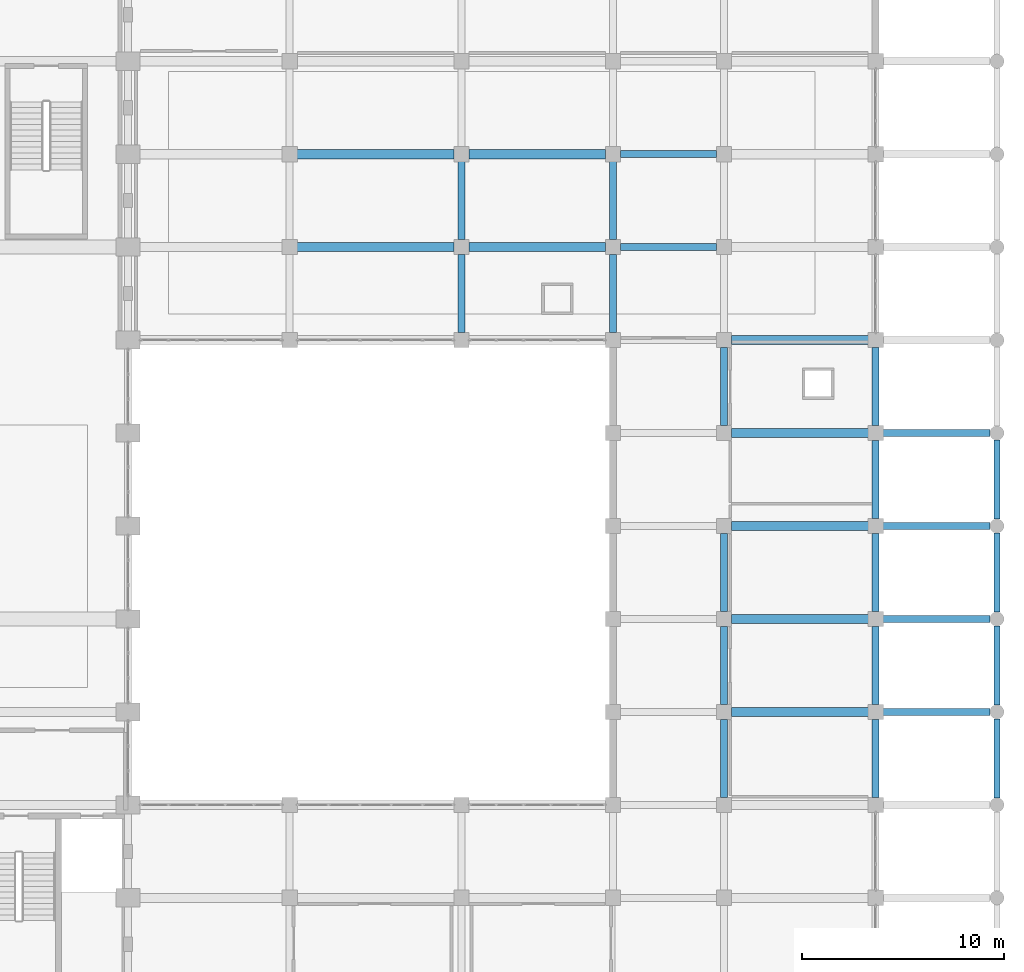
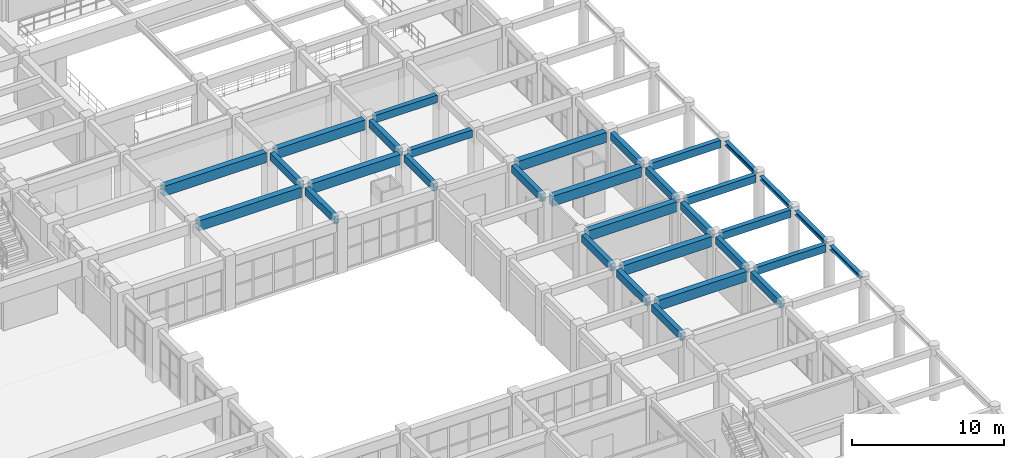
# One storey, part 70 of 116: 32 beams.
"""IFC4 building model written with IfcOpenShell, lengths in metres."""

import ifcopenshell
import ifcopenshell.guid

model = None  # the IFC model being written
_history = None  # IfcOwnerHistory: only IFC2X3 demands one
_inside = {}  # id of a spatial element -> (the spatial element, [elements in it])
_under = {}  # id of a project, library or spatial element -> (it, [spatial elements below it])
_declared = {}  # id of a project -> (the project, [libraries it declares])
_typed = {}  # id of a type object -> (the type object, [elements of that type])
_made_of = {}  # id of a material, layer set ... -> (it, [elements and type objects made of it])


def new_model(schema):
    """Start an empty IFC model of exactly this schema.

    Asked for "IFC4X3", IfcOpenShell would pick the latest addendum, in which some entities
    have other attributes; the version numbers below select the first issue.
    IFC2X3 requires an IfcOwnerHistory on every rooted entity: one is made here for all.
    """
    global model, _history
    if schema == "IFC4X3":
        model = ifcopenshell.file(schema_version=(4, 3, 0, 0))
    else:
        model = ifcopenshell.file(schema=schema)
    _inside.clear()
    _under.clear()
    _declared.clear()
    _typed.clear()
    _made_of.clear()
    _history = None
    if model.schema == "IFC2X3":
        org = make("IfcOrganization", Name="unknown")
        user = make(
            "IfcPersonAndOrganization",
            ThePerson=make("IfcPerson", FamilyName="unknown"),
            TheOrganization=org,
        )
        app = make(
            "IfcApplication",
            ApplicationDeveloper=org,
            Version="unknown",
            ApplicationFullName="unknown",
            ApplicationIdentifier="unknown",
        )
        _history = make(
            "IfcOwnerHistory",
            OwningUser=user,
            OwningApplication=app,
            ChangeAction="ADDED",
            CreationDate=0,
        )
    return model


def make(cls, **values):
    """One entity of the class cls with the attributes given. An attribute that is None is left unset."""
    return model.create_entity(
        cls, **{name: value for name, value in values.items() if value is not None}
    )


def rooted(cls, **values):
    """An entity with a GlobalId (a new one), such as an element, a storey or a relation."""
    return make(cls, GlobalId=ifcopenshell.guid.new(), OwnerHistory=_history, **values)


def si_unit(unit_type, name, prefix=None):
    """IfcSIUnit, for example si_unit("LENGTHUNIT", "METRE", prefix="MILLI")."""
    return make("IfcSIUnit", UnitType=unit_type, Prefix=prefix, Name=name)


def assignment(units):
    """IfcUnitAssignment: the units of a project."""
    return None if units is None else make("IfcUnitAssignment", Units=units)


def point(xyz):
    """IfcCartesianPoint."""
    return None if xyz is None else make("IfcCartesianPoint", Coordinates=xyz)


def direction(xyz):
    """IfcDirection."""
    return None if xyz is None else make("IfcDirection", DirectionRatios=xyz)


def frame(location, z_axis=None, x_axis=None):
    """IfcAxis2Placement3D, a coordinate frame: its origin and axes. An axis left out is left unset."""
    return make(
        "IfcAxis2Placement3D",
        Location=point(location),
        Axis=direction(z_axis),
        RefDirection=direction(x_axis),
    )


def frame_2d(location, x_axis=None):
    """IfcAxis2Placement2D, a coordinate frame in the plane: its origin and x axis."""
    return make(
        "IfcAxis2Placement2D", Location=point(location), RefDirection=direction(x_axis)
    )


def origin():
    """The frame at (0, 0, 0) with its axes left unset."""
    return frame((0.0, 0.0, 0.0))


def origin_2d():
    """The frame at (0, 0) in the plane with its x axis left unset."""
    return frame_2d((0.0, 0.0))


def place(relative_to, where):
    """IfcLocalPlacement: puts the frame where relative to a parent placement (None: the world)."""
    return make(
        "IfcLocalPlacement", PlacementRelTo=relative_to, RelativePlacement=where
    )


def context(
    kind, dimensions, precision=None, world=None, true_north=None, identifier=None
):
    """IfcGeometricRepresentationContext, for example the 3D "Model" context."""
    return make(
        "IfcGeometricRepresentationContext",
        ContextIdentifier=identifier,
        ContextType=kind,
        CoordinateSpaceDimension=dimensions,
        Precision=precision,
        WorldCoordinateSystem=world,
        TrueNorth=true_north,
    )


def subcontext(parent, identifier, kind, view, scale=None):
    """IfcGeometricRepresentationSubContext, for example "Body" below "Model"."""
    return make(
        "IfcGeometricRepresentationSubContext",
        ContextIdentifier=identifier,
        ContextType=kind,
        ParentContext=parent,
        TargetScale=scale,
        TargetView=view,
    )


def project(units=None, contexts=None):
    """IfcProject with its units and contexts."""
    return rooted(
        "IfcProject",
        Name="project",
        RepresentationContexts=contexts,
        UnitsInContext=assignment(units),
    )


def spatial(cls, under=None, at=None, **own):
    """A site, building, storey or space (cls), placed at a placement, below another one or the project."""
    s = rooted(cls, ObjectPlacement=at, **own)
    if under is not None:
        _under.setdefault(under.id(), (under, []))[1].append(s)
    return s


def profile(cls, at=None, kind="AREA", **sizes):
    """A parametric profile (cls). Its sizes go by their IFC names, for example OverallWidth=200.0."""
    return make(cls, ProfileType=kind, Position=at, **sizes)


def rectangle(**sizes):
    """IfcRectangleProfileDef."""
    return profile("IfcRectangleProfileDef", **sizes)


def i_section(**sizes):
    """IfcIShapeProfileDef."""
    return profile("IfcIShapeProfileDef", **sizes)


def extrude(swept, where, along, depth):
    """IfcExtrudedAreaSolid: the profile swept, set in the frame where, extruded along a direction by depth."""
    return make(
        "IfcExtrudedAreaSolid",
        SweptArea=swept,
        Position=where,
        ExtrudedDirection=direction(along),
        Depth=depth,
    )


def shape(context_of_items, identifier, shape_type, items):
    """IfcShapeRepresentation: the items that make up one representation, for example the "Body"."""
    return make(
        "IfcShapeRepresentation",
        ContextOfItems=context_of_items,
        RepresentationIdentifier=identifier,
        RepresentationType=shape_type,
        Items=items,
    )


def material(Name=None, Category=None):
    """IfcMaterial."""
    return make("IfcMaterial", Name=Name, Category=Category)


def material_profile(
    of_material, cross_section, Name=None, Category=None, Priority=None
):
    """IfcMaterialProfile: a cross section and its material."""
    return make(
        "IfcMaterialProfile",
        Name=Name,
        Material=of_material,
        Profile=cross_section,
        Priority=Priority,
        Category=Category,
    )


def profile_set(profiles, Name=None, composite=None):
    """IfcMaterialProfileSet."""
    return make(
        "IfcMaterialProfileSet",
        Name=Name,
        MaterialProfiles=profiles,
        CompositeProfile=composite,
    )


def made_of(thing, what):
    """Note that an element or type object is made of a material, layer set ...; save() writes the relation."""
    if what is not None:
        _made_of.setdefault(what.id(), (what, []))[1].append(thing)
    return thing


def type_object(cls, material=None, **own):
    """A type object (cls), such as IfcWallType, which elements share."""
    return made_of(rooted(cls, **own), material)


def element(
    cls,
    number,
    at=None,
    inside=None,
    cuts=None,
    type_object=None,
    material=None,
    context=None,
    identifier="Body",
    shape_type=None,
    held_by="IfcProductDefinitionShape",
    body=None,
    shapes=None,
    **own,
):
    """One element of the class cls, such as IfcWall. Its Tag is "e" and its number.

    at: its placement. inside: the storey or other place that contains it. cuts: it is an
    opening in that element (IfcRelVoidsElement). A single representation is given by context,
    identifier, shape_type and body (its items); several are given by shapes. held_by: the class
    of the entity that holds the representations. save() writes the other relations.
    """
    e = rooted(cls, Tag="e%d" % number, ObjectPlacement=at, **own)
    if body is not None:
        shapes = [shape(context, identifier, shape_type, body)]
    if shapes is not None:
        e.Representation = make(held_by, Representations=shapes)
    if inside is not None:
        _inside.setdefault(inside.id(), (inside, []))[1].append(e)
    if cuts is not None:
        rooted(
            "IfcRelVoidsElement", RelatingBuildingElement=cuts, RelatedOpeningElement=e
        )
    if type_object is not None:
        _typed.setdefault(type_object.id(), (type_object, []))[1].append(e)
    return made_of(e, material)


def aggregate(whole, parts):
    """IfcRelAggregates: a whole, such as a stair, and the parts it consists of."""
    return rooted("IfcRelAggregates", RelatingObject=whole, RelatedObjects=parts)


def save(model, path):
    """Write the relations noted so far, then the file.

    IfcRelAggregates (storeys below a building ...), IfcRelContainedInSpatialStructure (elements
    in a storey), IfcRelDefinesByType, IfcRelAssociatesMaterial and IfcRelDeclares: one each for
    every whole, place, type object, material and project.
    """
    for whole, parts in _under.values():
        aggregate(whole, parts)
    for where, things in _inside.values():
        rooted(
            "IfcRelContainedInSpatialStructure",
            RelatedElements=things,
            RelatingStructure=where,
        )
    for kind, things in _typed.values():
        rooted("IfcRelDefinesByType", RelatedObjects=things, RelatingType=kind)
    for what, things in _made_of.values():
        rooted("IfcRelAssociatesMaterial", RelatedObjects=things, RelatingMaterial=what)
    for by, libraries in _declared.values():
        rooted("IfcRelDeclares", RelatingContext=by, RelatedDefinitions=libraries)
    model.write(path)


model = new_model("IFC4")

# Units and contexts
model_context = context("Model", 3, precision=1e-05, world=origin(), true_north=direction((0.0, 1.0)))
body_context = subcontext(model_context, "Body", "Model", "MODEL_VIEW")
ifc_project = project(units=[si_unit("LENGTHUNIT", "METRE"), si_unit("AREAUNIT", "SQUARE_METRE"), si_unit("VOLUMEUNIT", "CUBIC_METRE"), si_unit("PLANEANGLEUNIT", "RADIAN"), si_unit("MASSUNIT", "GRAM", prefix="KILO")], contexts=[model_context])

# Site, building, storey
site_placement = place(None, origin())
site = spatial("IfcSite", under=ifc_project, at=site_placement, CompositionType="ELEMENT")
building_placement = place(site_placement, origin())
building = spatial("IfcBuilding", under=site, at=building_placement, Name="Muzn Square Opera House", CompositionType="ELEMENT")
storey_placement = place(building_placement, frame((0.0, 0.0, 5.39990234375)))
storey = spatial("IfcBuildingStorey", under=building, at=storey_placement, Name="L01", CompositionType="ELEMENT", Elevation=5.39990234375)

# Beams
ifc_material_1 = material(Name="Concrete C40/50", Category="concrete")
ifc_material_profile_1 = material_profile(ifc_material_1, rectangle(XDim=0.35009765625, YDim=0.60009765625, at=origin_2d()), Name="RCB 350x600", Category="concrete")
ifc_profile_set_1 = profile_set([ifc_material_profile_1], Name="Concrete C40/50")
beam_type_1 = type_object("IfcBeamType", Name="Primary Girder 350x600", PredefinedType="BEAM", material=ifc_profile_set_1)
for number, where, z_axis, x_axis, name in (
    (1, (170.366943359375, 35.800048828125, 3.85009765625), (1.0, 0.0, 0.0), (0.0, 1.0, 0.0), "Primary Girder BM-L01-BM-PG600-1704_358_1757_358-1347"),
    (2, (170.366943359375, 40.39990234375, 3.85009765625), (1.0, 0.0, 0.0), (0.0, 1.0, 0.0), "Primary Girder BM-L01-BM-PG600-1704_404_1757_404-1355"),
    (3, (170.366943359375, 45.0, 3.85009765625), (1.0, 0.0, 0.0), (0.0, 1.0, 0.0), "Primary Girder BM-L01-BM-PG600-1704_450_1757_450-1361"),
    (4, (170.366943359375, 49.60009765625, 3.85009765625), (1.0, 0.0, 0.0), (0.0, 1.0, 0.0), "Primary Girder BM-L01-BM-PG600-1704_496_1757_496-1367"),
):
    element("IfcBeam", number, at=place(storey_placement, frame(where, z_axis=z_axis, x_axis=x_axis)), inside=storey, type_object=beam_type_1, Name=name, PredefinedType="BEAM", context=body_context, shape_type="SweptSolid", body=[
        extrude(rectangle(XDim=0.35009765625, YDim=0.60009765625, at=origin_2d()), origin(), (0.0, 0.0, 1.0), 5.291015625),
    ])
for number, where, z_axis, x_axis, name in (
    (5, (157.366943359375, 58.800048828125, 3.85009765625), (1.0, 0.0, 0.0), (0.0, 1.0, 0.0), "Primary Girder BM-L01-BM-PG600-1574_588_1621_588-1391"),
    (6, (157.366943359375, 63.39990234375, 3.85009765625), (1.0, 0.0, 0.0), (0.0, 1.0, 0.0), "Primary Girder BM-L01-BM-PG600-1574_634_1621_634-1409"),
):
    element("IfcBeam", number, at=place(storey_placement, frame(where, z_axis=z_axis, x_axis=x_axis)), inside=storey, type_object=beam_type_1, Name=name, PredefinedType="BEAM", context=body_context, shape_type="SweptSolid", body=[
        extrude(rectangle(XDim=0.35009765625, YDim=0.60009765625, at=origin_2d()), origin(), (0.0, 0.0, 1.0), 4.76611328125),
    ])
beam_1_placement = place(storey_placement, frame((149.5, 54.56689453125, 3.820068359375), z_axis=(0.0, 1.0, 0.0), x_axis=(-1.0, 0.0, 0.0)))
element("IfcBeam", 7, at=beam_1_placement, inside=storey, type_object=beam_type_1, Name="Primary Girder BM-L01-BM-PG600-1495_546_1495_584-1732", PredefinedType="BEAM", context=body_context, shape_type="SweptSolid", body=[
    extrude(rectangle(XDim=0.35009765625, YDim=0.60009765625, at=origin_2d()), origin(), (0.0, 0.0, 1.0), 3.8662109375),
])
beam_2_placement = place(storey_placement, frame((149.5, 59.1669921875, 3.820068359375), z_axis=(0.0, 1.0, 0.0), x_axis=(-1.0, 0.0, 0.0)))
element("IfcBeam", 8, at=beam_2_placement, inside=storey, type_object=beam_type_1, Name="Primary Girder BM-L01-BM-PG600-1495_592_1495_630-1733", PredefinedType="BEAM", context=body_context, shape_type="SweptSolid", body=[
    extrude(rectangle(XDim=0.35009765625, YDim=0.60009765625, at=origin_2d()), origin(), (0.0, 0.0, 1.0), 3.865966796875),
])
beam_3_placement = place(storey_placement, frame((157.0, 54.56689453125, 3.820068359375), z_axis=(0.0, 1.0, 0.0), x_axis=(-1.0, 0.0, 0.0)))
element("IfcBeam", 9, at=beam_3_placement, inside=storey, type_object=beam_type_1, Name="Primary Girder BM-L01-BM-PG600-1570_546_1570_584-1745", PredefinedType="BEAM", context=body_context, shape_type="SweptSolid", body=[
    extrude(rectangle(XDim=0.35009765625, YDim=0.60009765625, at=origin_2d()), origin(), (0.0, 0.0, 1.0), 3.8662109375),
])
beam_4_placement = place(storey_placement, frame((157.0, 59.1669921875, 3.820068359375), z_axis=(0.0, 1.0, 0.0), x_axis=(-1.0, 0.0, 0.0)))
element("IfcBeam", 10, at=beam_4_placement, inside=storey, type_object=beam_type_1, Name="Primary Girder BM-L01-BM-PG600-1570_592_1570_630-1746", PredefinedType="BEAM", context=body_context, shape_type="SweptSolid", body=[
    extrude(rectangle(XDim=0.35009765625, YDim=0.60009765625, at=origin_2d()), origin(), (0.0, 0.0, 1.0), 3.865966796875),
])
beam_5_placement = place(storey_placement, frame((162.5, 31.56689453125, 3.85009765625), z_axis=(0.0, 1.0, 0.0), x_axis=(-1.0, 0.0, 0.0)))
element("IfcBeam", 11, at=beam_5_placement, inside=storey, type_object=beam_type_1, Name="Primary Girder BM-L01-BM-PG600-1625_316_1625_354-1755", PredefinedType="BEAM", context=body_context, shape_type="SweptSolid", body=[
    extrude(rectangle(XDim=0.35009765625, YDim=0.60009765625, at=origin_2d()), origin(), (0.0, 0.0, 1.0), 3.8662109375),
])
for number, where, z_axis, x_axis, name in (
    (12, (162.5, 36.1669921875, 3.85009765625), (0.0, 1.0, 0.0), (-1.0, 0.0, 0.0), "Primary Girder BM-L01-BM-PG600-1625_362_1625_400-1756"),
    (13, (162.5, 40.76708984375, 3.85009765625), (0.0, 1.0, 0.0), (-1.0, 0.0, 0.0), "Primary Girder BM-L01-BM-PG600-1625_408_1625_446-1757"),
    (14, (162.5, 49.967041015625, 3.85009765625), (0.0, 1.0, 0.0), (-1.0, 0.0, 0.0), "Primary Girder BM-L01-BM-PG600-1625_500_1625_538-1759"),
):
    element("IfcBeam", number, at=place(storey_placement, frame(where, z_axis=z_axis, x_axis=x_axis)), inside=storey, type_object=beam_type_1, Name=name, PredefinedType="BEAM", context=body_context, shape_type="SweptSolid", body=[
        extrude(rectangle(XDim=0.35009765625, YDim=0.60009765625, at=origin_2d()), origin(), (0.0, 0.0, 1.0), 3.865966796875),
    ])
beam_6_placement = place(storey_placement, frame((170.0, 31.56689453125, 3.85009765625), z_axis=(0.0, 1.0, 0.0), x_axis=(-1.0, 0.0, 0.0)))
element("IfcBeam", 15, at=beam_6_placement, inside=storey, type_object=beam_type_1, Name="Primary Girder BM-L01-BM-PG600-1700_316_1700_354-1770", PredefinedType="BEAM", context=body_context, shape_type="SweptSolid", body=[
    extrude(rectangle(XDim=0.35009765625, YDim=0.60009765625, at=origin_2d()), origin(), (0.0, 0.0, 1.0), 3.8662109375),
])
for number, where, z_axis, x_axis, name in (
    (16, (170.0, 36.1669921875, 3.85009765625), (0.0, 1.0, 0.0), (-1.0, 0.0, 0.0), "Primary Girder BM-L01-BM-PG600-1700_362_1700_400-1771"),
    (17, (170.0, 40.76708984375, 3.85009765625), (0.0, 1.0, 0.0), (-1.0, 0.0, 0.0), "Primary Girder BM-L01-BM-PG600-1700_408_1700_446-1772"),
    (18, (170.0, 45.366943359375, 3.85009765625), (0.0, 1.0, 0.0), (-1.0, 0.0, 0.0), "Primary Girder BM-L01-BM-PG600-1700_454_1700_492-1773"),
    (19, (170.0, 49.967041015625, 3.85009765625), (0.0, 1.0, 0.0), (-1.0, 0.0, 0.0), "Primary Girder BM-L01-BM-PG600-1700_500_1700_538-1774"),
):
    element("IfcBeam", number, at=place(storey_placement, frame(where, z_axis=z_axis, x_axis=x_axis)), inside=storey, type_object=beam_type_1, Name=name, PredefinedType="BEAM", context=body_context, shape_type="SweptSolid", body=[
        extrude(rectangle(XDim=0.35009765625, YDim=0.60009765625, at=origin_2d()), origin(), (0.0, 0.0, 1.0), 3.865966796875),
    ])
ifc_material_profile_2 = material_profile(ifc_material_1, rectangle(XDim=0.449951171875, YDim=0.800048828125, at=origin_2d()), Name="RCB 450x800", Category="concrete")
ifc_profile_set_2 = profile_set([ifc_material_profile_2], Name="Concrete C40/50")
beam_type_2 = type_object("IfcBeamType", Name="Primary Girder 450x800", PredefinedType="BEAM", material=ifc_profile_set_2)
for number, where, z_axis, x_axis, name in (
    (20, (162.866943359375, 35.800048828125, 3.75), (1.0, 0.0, 0.0), (0.0, 1.0, 0.0), "Primary Girder BM-L01-BM-PG800-1629_358_1696_358-1346"),
    (21, (162.866943359375, 40.39990234375, 3.75), (1.0, 0.0, 0.0), (0.0, 1.0, 0.0), "Primary Girder BM-L01-BM-PG800-1629_404_1696_404-1354"),
    (22, (162.866943359375, 45.0, 3.75), (1.0, 0.0, 0.0), (0.0, 1.0, 0.0), "Primary Girder BM-L01-BM-PG800-1629_450_1696_450-1360"),
    (23, (162.866943359375, 49.60009765625, 3.75), (1.0, 0.0, 0.0), (0.0, 1.0, 0.0), "Primary Girder BM-L01-BM-PG800-1629_496_1696_496-1366"),
    (24, (162.866943359375, 54.199951171875, 3.75), (1.0, 0.0, 0.0), (0.0, 1.0, 0.0), "Primary Girder BM-L01-BM-PG800-1629_542_1696_542-1378"),
):
    element("IfcBeam", number, at=place(storey_placement, frame(where, z_axis=z_axis, x_axis=x_axis)), inside=storey, type_object=beam_type_2, Name=name, PredefinedType="BEAM", context=body_context, shape_type="SweptSolid", body=[
        extrude(rectangle(XDim=0.449951171875, YDim=0.800048828125, at=origin_2d()), origin(), (0.0, 0.0, 1.0), 6.76611328125),
    ])
beam_7_placement = place(storey_placement, frame((141.366943359375, 58.800048828125, 3.72021484375), z_axis=(1.0, 0.0, 0.0), x_axis=(0.0, 1.0, 0.0)))
element("IfcBeam", 25, at=beam_7_placement, inside=storey, type_object=beam_type_2, Name="Primary Girder BM-L01-BM-PG800-1414_588_1491_588-1389", PredefinedType="BEAM", context=body_context, shape_type="SweptSolid", body=[
    extrude(rectangle(XDim=0.449951171875, YDim=0.800048828125, at=origin_2d()), origin(), (0.0, 0.0, 1.0), 7.76611328125),
])
beam_8_placement = place(storey_placement, frame((149.866943359375, 58.800048828125, 3.72021484375), z_axis=(1.0, 0.0, 0.0), x_axis=(0.0, 1.0, 0.0)))
element("IfcBeam", 26, at=beam_8_placement, inside=storey, type_object=beam_type_2, Name="Primary Girder BM-L01-BM-PG800-1499_588_1566_588-1390", PredefinedType="BEAM", context=body_context, shape_type="SweptSolid", body=[
    extrude(rectangle(XDim=0.449951171875, YDim=0.800048828125, at=origin_2d()), origin(), (0.0, 0.0, 1.0), 6.76611328125),
])
beam_9_placement = place(storey_placement, frame((141.366943359375, 63.39990234375, 3.72021484375), z_axis=(1.0, 0.0, 0.0), x_axis=(0.0, 1.0, 0.0)))
element("IfcBeam", 27, at=beam_9_placement, inside=storey, type_object=beam_type_2, Name="Primary Girder BM-L01-BM-PG800-1414_634_1491_634-1407", PredefinedType="BEAM", context=body_context, shape_type="SweptSolid", body=[
    extrude(rectangle(XDim=0.449951171875, YDim=0.800048828125, at=origin_2d()), origin(), (0.0, 0.0, 1.0), 7.76611328125),
])
beam_10_placement = place(storey_placement, frame((149.866943359375, 63.39990234375, 3.72021484375), z_axis=(1.0, 0.0, 0.0), x_axis=(0.0, 1.0, 0.0)))
element("IfcBeam", 28, at=beam_10_placement, inside=storey, type_object=beam_type_2, Name="Primary Girder BM-L01-BM-PG800-1499_634_1566_634-1408", PredefinedType="BEAM", context=body_context, shape_type="SweptSolid", body=[
    extrude(rectangle(XDim=0.449951171875, YDim=0.800048828125, at=origin_2d()), origin(), (0.0, 0.0, 1.0), 6.76611328125),
])
ifc_material_2 = material(Name="Steel S355", Category="steel")
ifc_material_profile_3 = material_profile(ifc_material_2, i_section(OverallWidth=0.300048828125, OverallDepth=0.330078125, WebThickness=0.009521484375, FlangeThickness=0.0166015625, FilletRadius=0.027099609375, at=origin_2d()), Name="HEA 340", Category="steel")
ifc_profile_set_3 = profile_set([ifc_material_profile_3], Name="Steel S355")
beam_type_3 = type_object("IfcBeamType", Name="Steel Spandrel Beam HEA340", PredefinedType="SPANDREL", material=ifc_profile_set_3)
for number, where, z_axis, x_axis, name in (
    (29, (176.0, 31.5419921875, 3.955078125), (0.0, 1.0, 0.0), (-1.0, 0.0, 0.0), "Spandrel Beam BM-L01-BM-SSP340-1760_315_1760_355-1787"),
    (30, (176.0, 36.14208984375, 3.955078125), (0.0, 1.0, 0.0), (-1.0, 0.0, 0.0), "Spandrel Beam BM-L01-BM-SSP340-1760_361_1760_401-1788"),
    (31, (176.0, 40.741943359375, 3.955078125), (0.0, 1.0, 0.0), (-1.0, 0.0, 0.0), "Spandrel Beam BM-L01-BM-SSP340-1760_407_1760_447-1789"),
    (32, (176.0, 45.342041015625, 3.955078125), (0.0, 1.0, 0.0), (-1.0, 0.0, 0.0), "Spandrel Beam BM-L01-BM-SSP340-1760_453_1760_493-1790"),
):
    element("IfcBeam", number, at=place(storey_placement, frame(where, z_axis=z_axis, x_axis=x_axis)), inside=storey, type_object=beam_type_3, Name=name, PredefinedType="SPANDREL", context=body_context, shape_type="SweptSolid", body=[
        extrude(i_section(OverallWidth=0.300048828125, OverallDepth=0.330078125, WebThickness=0.009521484375, FlangeThickness=0.0166015625, FilletRadius=0.027099609375, at=origin_2d()), origin(), (0.0, 0.0, 1.0), 3.916015625),
    ])

save(model, "model.ifc")
